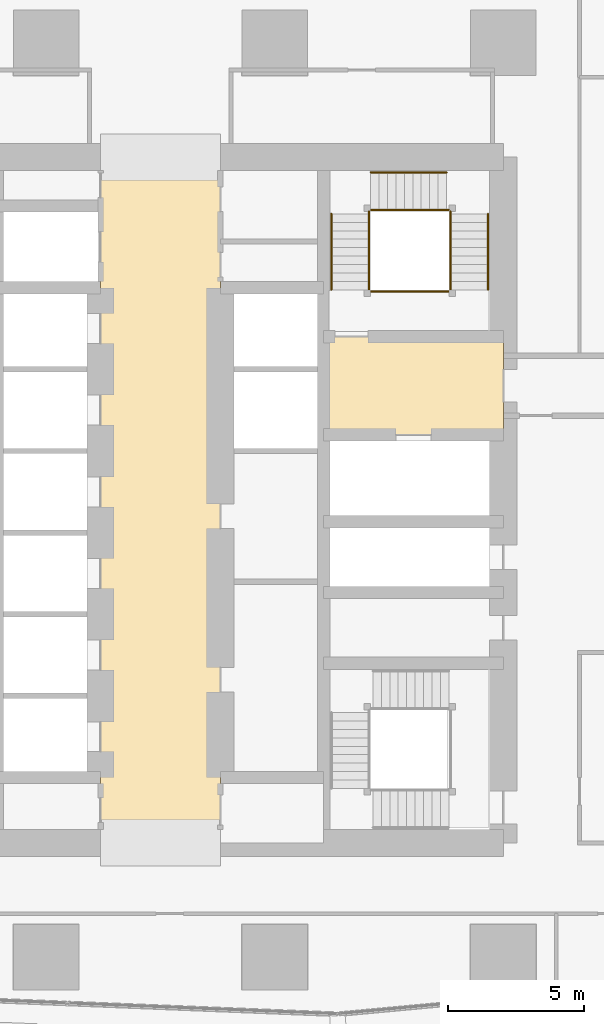
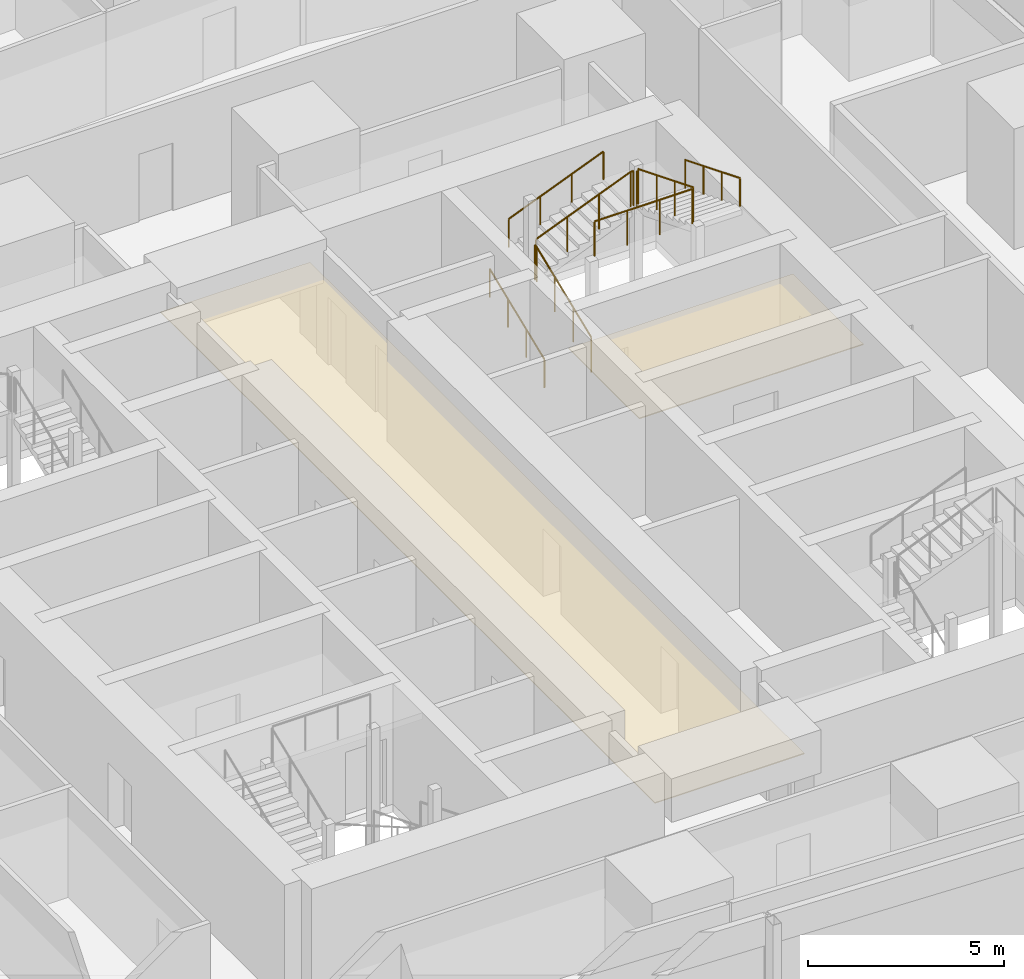
# One storey, part 33 of 34: 10 railings, 2 coverings.
"""IFC4 building model written with IfcOpenShell, lengths in metres."""

from ifc_helpers import new_model, si_unit, direction, frame, origin, origin_2d, place, context, subcontext, project, spatial, polyline, circle, outline, extrude, material, layer, layer_set, type_object, element, save


model = new_model("IFC4")

# Units and contexts
model_context = context("Model", 3, precision=1e-05, world=origin(), true_north=direction((0.0, 1.0)))
body_context = subcontext(model_context, "Body", "Model", "MODEL_VIEW")
ifc_project = project(units=[si_unit("LENGTHUNIT", "METRE"), si_unit("AREAUNIT", "SQUARE_METRE"), si_unit("VOLUMEUNIT", "CUBIC_METRE"), si_unit("PLANEANGLEUNIT", "RADIAN"), si_unit("MASSUNIT", "GRAM", prefix="KILO")], contexts=[model_context])

# Site, building, storey
site_placement = place(None, origin())
site = spatial("IfcSite", under=ifc_project, at=site_placement, CompositionType="ELEMENT")
building_placement = place(site_placement, origin())
building = spatial("IfcBuilding", under=site, at=building_placement, Name="Rekha Terrace Tower", CompositionType="ELEMENT")
storey_placement = place(building_placement, frame((0.0, 0.0, 236.449951171875)))
storey = spatial("IfcBuildingStorey", under=building, at=storey_placement, Name="L60", CompositionType="ELEMENT", Elevation=236.449951171875)

# Coverings
ifc_material_1 = material(Name="Powder-coated aluminium pan", Category="aluminium")
ifc_layer = layer(ifc_material_1, 0.030029296875)
ifc_layer_set = layer_set([ifc_layer], Name="Powder-coated aluminium pan")
covering_type = type_object("IfcCoveringType", Name="CL3 300x1200 metal pan ceiling", PredefinedType="CEILING", material=ifc_layer_set)
covering_1_placement = place(storey_placement, frame((0.0, 0.0, 2.469970703125)))
element("IfcCovering", 1, at=covering_1_placement, inside=storey, type_object=covering_type, Name="Ceiling L60-LOBBY", PredefinedType="CEILING", context=body_context, shape_type="SweptSolid", body=[
    extrude(outline(polyline([(40.0, 46.199951171875), (35.60009765625, 46.199951171875), (35.60009765625, 21.0), (40.0, 21.0), (40.0, 46.199951171875)])), origin(), (0.0, 0.0, 1.0), 0.030029296875),
])
covering_2_placement = place(storey_placement, frame((0.0, 0.0, 2.469970703125)))
element("IfcCovering", 2, at=covering_2_placement, inside=storey, type_object=covering_type, Name="Ceiling L60-FLB2", PredefinedType="CEILING", context=body_context, shape_type="SweptSolid", body=[
    extrude(outline(polyline([(50.39990234375, 39.60009765625), (43.800048828125, 39.60009765625), (43.800048828125, 36.0), (50.39990234375, 36.0), (50.39990234375, 39.60009765625)])), origin(), (0.0, 0.0, 1.0), 0.030029296875),
])

# Railings
ifc_material_2 = material(Name="Stainless steel balustrade", Category="steel")
railing_type_1 = type_object("IfcRailingType", Name="GR1 1100 stair guard", PredefinedType="GUARDRAIL", material=ifc_material_2)
railing_1_placement = place(storey_placement, frame((45.465087890625, 41.324951171875, 0.125)))
element("IfcRailing", 3, at=railing_1_placement, inside=storey, type_object=railing_type_1, Name="Guard ST2 L60 flight 1", PredefinedType="GUARDRAIL", context=body_context, shape_type="SweptSolid", body=[
    extrude(circle(Radius=0.02392578125, at=origin_2d()), frame((0.0, 0.0, 1.076171875), z_axis=(0.0, 0.927443287984, 0.373963831907), x_axis=(-1.0, 0.0, 0.0)), (0.0, 0.0, 1.0), 3.00830078125),
    extrude(circle(Radius=0.02099609375, at=origin_2d()), origin(), (0.0, 0.0, 1.0), 1.052001953125),
    extrude(circle(Radius=0.02099609375, at=origin_2d()), frame((0.0, 0.929931640625, 0.375)), (0.0, 0.0, 1.0), 1.052001953125),
    extrude(circle(Radius=0.02099609375, at=origin_2d()), frame((0.0, 1.860107421875, 0.75)), (0.0, 0.0, 1.0), 1.052001953125),
    extrude(circle(Radius=0.02099609375, at=origin_2d()), frame((0.0, 2.7900390625, 1.125)), (0.0, 0.0, 1.0), 1.052001953125),
])
railing_2_placement = place(storey_placement, frame((45.52490234375, 44.260009765625, 1.375)))
element("IfcRailing", 4, at=railing_2_placement, inside=storey, type_object=railing_type_1, Name="Guard ST2 L60 flight 2", PredefinedType="GUARDRAIL", context=body_context, shape_type="SweptSolid", body=[
    extrude(circle(Radius=0.02392578125, at=origin_2d()), frame((0.0, 0.0, 1.076171875), z_axis=(0.927443287984, 0.0, 0.373963831907), x_axis=(0.0, 1.0, 0.0)), (0.0, 0.0, 1.0), 3.00830078125),
    extrude(circle(Radius=0.02099609375, at=origin_2d()), origin(), (0.0, 0.0, 1.0), 1.052001953125),
    extrude(circle(Radius=0.02099609375, at=origin_2d()), frame((0.929931640625, 0.0, 0.375)), (0.0, 0.0, 1.0), 1.052001953125),
    extrude(circle(Radius=0.02099609375, at=origin_2d()), frame((1.860107421875, 0.0, 0.75)), (0.0, 0.0, 1.0), 1.052001953125),
    extrude(circle(Radius=0.02099609375, at=origin_2d()), frame((2.7900390625, 0.0, 1.125)), (0.0, 0.0, 1.0), 1.052001953125),
])
railing_3_placement = place(storey_placement, frame((48.4599609375, 44.114990234375, 2.625)))
element("IfcRailing", 5, at=railing_3_placement, inside=storey, type_object=railing_type_1, Name="Guard ST2 L60 flight 3", PredefinedType="GUARDRAIL", context=body_context, shape_type="SweptSolid", body=[
    extrude(circle(Radius=0.02392578125, at=origin_2d()), frame((0.0, 0.0, 1.076171875), z_axis=(0.0, -0.927443287984, 0.373963831907), x_axis=(1.0, 0.0, 0.0)), (0.0, 0.0, 1.0), 3.00830078125),
    extrude(circle(Radius=0.02099609375, at=origin_2d()), origin(), (0.0, 0.0, 1.0), 1.052001953125),
    extrude(circle(Radius=0.02099609375, at=origin_2d()), frame((0.0, -0.929931640625, 0.375)), (0.0, 0.0, 1.0), 1.052001953125),
    extrude(circle(Radius=0.02099609375, at=origin_2d()), frame((0.0, -1.860107421875, 0.75)), (0.0, 0.0, 1.0), 1.052001953125),
    extrude(circle(Radius=0.02099609375, at=origin_2d()), frame((0.0, -2.7900390625, 1.125)), (0.0, 0.0, 1.0), 1.052001953125),
])
railing_4_placement = place(storey_placement, frame((45.465087890625, 44.114990234375, 1.25)))
element("IfcRailing", 6, at=railing_4_placement, inside=storey, type_object=railing_type_1, Name="Guard ST2 L60 landing 1", PredefinedType="GUARDRAIL", context=body_context, shape_type="SweptSolid", body=[
    extrude(circle(Radius=0.02392578125, at=origin_2d()), frame((0.0, 0.0, 1.076171875), z_axis=(0.0, 1.0, 0.0), x_axis=(-1.0, 0.0, 0.0)), (0.0, 0.0, 1.0), 0.0849609375),
    extrude(circle(Radius=0.02099609375, at=origin_2d()), origin(), (0.0, 0.0, 1.0), 1.052001953125),
    extrude(circle(Radius=0.02099609375, at=origin_2d()), frame((0.0, 0.0849609375, 0.0)), (0.0, 0.0, 1.0), 1.052001953125),
])
railing_5_placement = place(storey_placement, frame((48.31494140625, 44.260009765625, 2.5)))
element("IfcRailing", 7, at=railing_5_placement, inside=storey, type_object=railing_type_1, Name="Guard ST2 L60 landing 2", PredefinedType="GUARDRAIL", context=body_context, shape_type="SweptSolid", body=[
    extrude(circle(Radius=0.02392578125, at=origin_2d()), frame((0.0, 0.0, 1.076171875), z_axis=(1.0, 0.0, 0.0), x_axis=(0.0, 1.0, 0.0)), (0.0, 0.0, 1.0), 0.0849609375),
    extrude(circle(Radius=0.02099609375, at=origin_2d()), origin(), (0.0, 0.0, 1.0), 1.052001953125),
    extrude(circle(Radius=0.02099609375, at=origin_2d()), frame((0.0849609375, 0.0, 0.0)), (0.0, 0.0, 1.0), 1.052001953125),
])
railing_6_placement = place(storey_placement, frame((48.4599609375, 44.114990234375, 2.5)))
element("IfcRailing", 8, at=railing_6_placement, inside=storey, type_object=railing_type_1, Name="Guard ST2 L60 landing 3", PredefinedType="GUARDRAIL", context=body_context, shape_type="SweptSolid", body=[
    extrude(circle(Radius=0.02392578125, at=origin_2d()), frame((0.0, 0.0, 1.076171875), z_axis=(0.0, 1.0, 0.0), x_axis=(-1.0, 0.0, 0.0)), (0.0, 0.0, 1.0), 0.0849609375),
    extrude(circle(Radius=0.02099609375, at=origin_2d()), origin(), (0.0, 0.0, 1.0), 1.052001953125),
    extrude(circle(Radius=0.02099609375, at=origin_2d()), frame((0.0, 0.0849609375, 0.0)), (0.0, 0.0, 1.0), 1.052001953125),
])
railing_7_placement = place(storey_placement, frame((45.52490234375, 41.264892578125, 3.75)))
element("IfcRailing", 9, at=railing_7_placement, inside=storey, type_object=railing_type_1, Name="Guard ST2 L60 landing 4", PredefinedType="GUARDRAIL", context=body_context, shape_type="SweptSolid", body=[
    extrude(circle(Radius=0.02392578125, at=origin_2d()), frame((0.0, 0.0, 1.076171875), z_axis=(1.0, 0.0, 0.0), x_axis=(0.0, 1.0, 0.0)), (0.0, 0.0, 1.0), 2.875),
    extrude(circle(Radius=0.02099609375, at=origin_2d()), origin(), (0.0, 0.0, 1.0), 1.052001953125),
    extrude(circle(Radius=0.02099609375, at=origin_2d()), frame((0.958251953125, 0.0, 0.0)), (0.0, 0.0, 1.0), 1.052001953125),
    extrude(circle(Radius=0.02099609375, at=origin_2d()), frame((1.916748046875, 0.0, 0.0)), (0.0, 0.0, 1.0), 1.052001953125),
    extrude(circle(Radius=0.02099609375, at=origin_2d()), frame((2.875, 0.0, 0.0)), (0.0, 0.0, 1.0), 1.052001953125),
])
ifc_material_3 = material(Name="Stainless steel tube", Category="steel")
railing_type_2 = type_object("IfcRailingType", Name="HR1 900 stair handrail", PredefinedType="HANDRAIL", material=ifc_material_3)
railing_8_placement = place(storey_placement, frame((44.0849609375, 41.324951171875, 0.125)))
element("IfcRailing", 10, at=railing_8_placement, inside=storey, type_object=railing_type_2, Name="Handrail ST2 L60 flight 1", PredefinedType="HANDRAIL", context=body_context, shape_type="SweptSolid", body=[
    extrude(circle(Radius=0.02392578125, at=origin_2d()), frame((0.0, 0.0, 0.8759765625), z_axis=(0.0, 0.927443287984, 0.373963831907), x_axis=(-1.0, 0.0, 0.0)), (0.0, 0.0, 1.0), 3.00830078125),
    extrude(circle(Radius=0.02099609375, at=origin_2d()), origin(), (0.0, 0.0, 1.0), 0.851806640625),
    extrude(circle(Radius=0.02099609375, at=origin_2d()), frame((0.0, 0.929931640625, 0.375)), (0.0, 0.0, 1.0), 0.851806640625),
    extrude(circle(Radius=0.02099609375, at=origin_2d()), frame((0.0, 1.860107421875, 0.75)), (0.0, 0.0, 1.0), 0.851806640625),
    extrude(circle(Radius=0.02099609375, at=origin_2d()), frame((0.0, 2.7900390625, 1.125)), (0.0, 0.0, 1.0), 0.851806640625),
])
railing_9_placement = place(storey_placement, frame((45.52490234375, 45.639892578125, 1.375)))
element("IfcRailing", 11, at=railing_9_placement, inside=storey, type_object=railing_type_2, Name="Handrail ST2 L60 flight 2", PredefinedType="HANDRAIL", context=body_context, shape_type="SweptSolid", body=[
    extrude(circle(Radius=0.02392578125, at=origin_2d()), frame((0.0, 0.0, 0.8759765625), z_axis=(0.927443287984, 0.0, 0.373963831907), x_axis=(0.0, 1.0, 0.0)), (0.0, 0.0, 1.0), 3.00830078125),
    extrude(circle(Radius=0.02099609375, at=origin_2d()), origin(), (0.0, 0.0, 1.0), 0.851806640625),
    extrude(circle(Radius=0.02099609375, at=origin_2d()), frame((0.929931640625, 0.0, 0.375)), (0.0, 0.0, 1.0), 0.851806640625),
    extrude(circle(Radius=0.02099609375, at=origin_2d()), frame((1.860107421875, 0.0, 0.75)), (0.0, 0.0, 1.0), 0.851806640625),
    extrude(circle(Radius=0.02099609375, at=origin_2d()), frame((2.7900390625, 0.0, 1.125)), (0.0, 0.0, 1.0), 0.851806640625),
])
railing_10_placement = place(storey_placement, frame((49.840087890625, 44.114990234375, 2.625)))
element("IfcRailing", 12, at=railing_10_placement, inside=storey, type_object=railing_type_2, Name="Handrail ST2 L60 flight 3", PredefinedType="HANDRAIL", context=body_context, shape_type="SweptSolid", body=[
    extrude(circle(Radius=0.02392578125, at=origin_2d()), frame((0.0, 0.0, 0.8759765625), z_axis=(0.0, -0.927443287984, 0.373963831907), x_axis=(1.0, 0.0, 0.0)), (0.0, 0.0, 1.0), 3.00830078125),
    extrude(circle(Radius=0.02099609375, at=origin_2d()), origin(), (0.0, 0.0, 1.0), 0.851806640625),
    extrude(circle(Radius=0.02099609375, at=origin_2d()), frame((0.0, -0.929931640625, 0.375)), (0.0, 0.0, 1.0), 0.851806640625),
    extrude(circle(Radius=0.02099609375, at=origin_2d()), frame((0.0, -1.860107421875, 0.75)), (0.0, 0.0, 1.0), 0.851806640625),
    extrude(circle(Radius=0.02099609375, at=origin_2d()), frame((0.0, -2.7900390625, 1.125)), (0.0, 0.0, 1.0), 0.851806640625),
])

save(model, "model.ifc")
